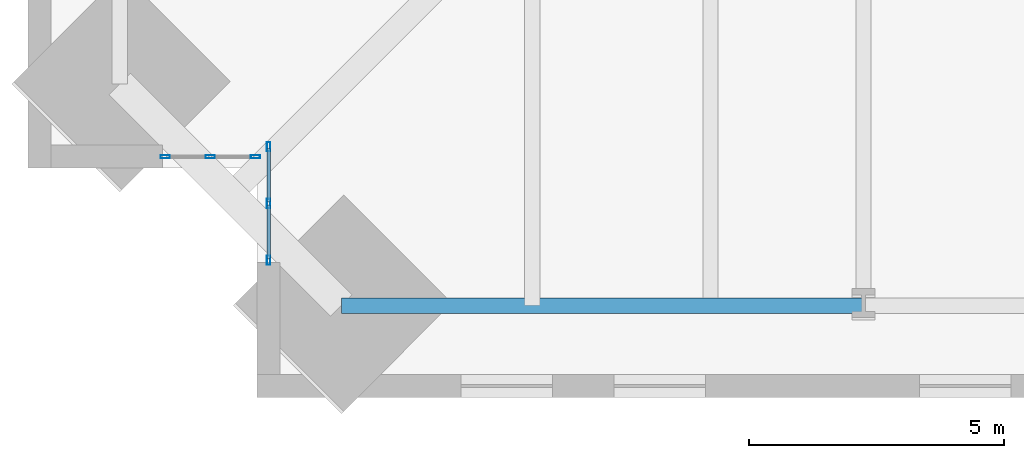
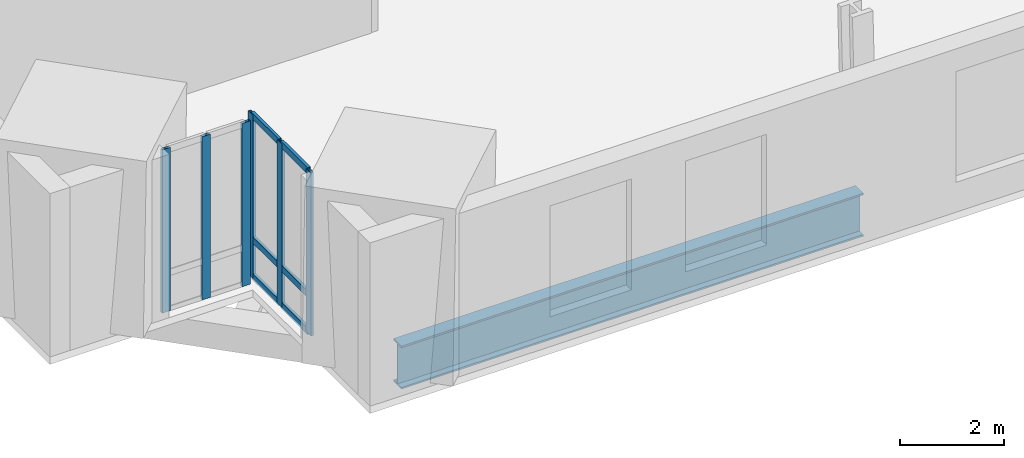
# One storey, part 2 of 15: 12 members, 1 beam, 2 elements without a shape of their own.
"""IFC4 building model written with IfcOpenShell, lengths in metres."""

from ifc_helpers import new_model, si_unit, direction, frame, origin, origin_2d, place, context, subcontext, project, spatial, hollow_rectangle, i_section, extrude, material, material_profile, profile_set, type_object, element, aggregate, save


model = new_model("IFC4")

# Units and contexts
model_context = context("Model", 3, precision=1e-05, world=origin(), true_north=direction((0.0, 1.0)))
body_context = subcontext(model_context, "Body", "Model", "MODEL_VIEW")
ifc_project = project(units=[si_unit("LENGTHUNIT", "METRE"), si_unit("AREAUNIT", "SQUARE_METRE"), si_unit("VOLUMEUNIT", "CUBIC_METRE"), si_unit("PLANEANGLEUNIT", "RADIAN"), si_unit("MASSUNIT", "GRAM", prefix="KILO")], contexts=[model_context])

# Site, building, storey
site_placement = place(None, origin())
site = spatial("IfcSite", under=ifc_project, at=site_placement, CompositionType="ELEMENT")
building_placement = place(site_placement, origin())
building = spatial("IfcBuilding", under=site, at=building_placement, Name="Peilmerk Tower", CompositionType="ELEMENT")
storey_placement = place(building_placement, frame((0.0, 0.0, 205.800048828125)))
storey = spatial("IfcBuildingStorey", under=building, at=storey_placement, Name="L44", CompositionType="ELEMENT", Elevation=205.800048828125)

# Beam
ifc_material_1 = material(Name="Steel S355", Category="steel")
ifc_material_profile_1 = material_profile(ifc_material_1, i_section(OverallWidth=0.302001953125, OverallDepth=1.008056640625, WebThickness=0.02099609375, FlangeThickness=0.0400390625, at=origin_2d()), Name="HEM 1000")
ifc_profile_set_1 = profile_set([ifc_material_profile_1], Name="Steel S355")
beam_type = type_object("IfcBeamType", Name="B1 HEM 1000 edge beam", PredefinedType="SPANDREL", material=ifc_profile_set_1)
beam_placement = place(storey_placement, frame((-18.248291015625, -22.598388671875, -0.674072265625), z_axis=(1.0, 0.0, 0.0), x_axis=(0.0, 1.0, 0.0)))
element("IfcBeam", 1, at=beam_placement, inside=storey, type_object=beam_type, Name="Edge beam L44", PredefinedType="SPANDREL", context=body_context, shape_type="SweptSolid", body=[
    extrude(i_section(OverallWidth=0.302001953125, OverallDepth=1.008056640625, WebThickness=0.02099609375, FlangeThickness=0.0400390625, at=origin_2d()), origin(), (0.0, 0.0, 1.0), 10.248291015625),
])

# Curtain wall, members
ifc_material_2 = material(Name="Aluminium stick curtain wall", Category="aluminium")
curtain_wall_type = type_object("IfcCurtainWallType", Name="CW4 stick curtain wall, 2250 module", PredefinedType="NOTDEFINED", material=ifc_material_2)
curtain_wall_1_placement = place(storey_placement, origin())
curtain_wall_1 = element("IfcCurtainWall", 2, at=curtain_wall_1_placement, inside=storey, type_object=curtain_wall_type, Name="Curtain wall CW4 SWA L44", PredefinedType="NOTDEFINED")
ifc_material_3 = material(Name="Aluminium EN AW-6063 T6", Category="aluminium")
ifc_material_profile_2 = material_profile(ifc_material_3, hollow_rectangle(XDim=0.06494140625, YDim=0.179931640625, WallThickness=0.0029296875, at=origin_2d()), Name="AL 180x65x3")
ifc_profile_set_2 = profile_set([ifc_material_profile_2], Name="Aluminium EN AW-6063 T6")
member_type_1 = type_object("IfcMemberType", Name="CW4-M AL 180x65x3 mullion", PredefinedType="MULLION", material=ifc_profile_set_2)
member_1_placement = place(storey_placement, frame((-19.675048828125, -19.482421875, 0.0), z_axis=(0.0, 0.0, 1.0), x_axis=(1.0, 0.0, 0.0)))
member_1 = element("IfcMember", 3, at=member_1_placement, type_object=member_type_1, Name="CW4 mullion 1", PredefinedType="MULLION", context=body_context, shape_type="SweptSolid", body=[
    extrude(hollow_rectangle(XDim=0.06494140625, YDim=0.179931640625, WallThickness=0.0029296875, at=origin_2d()), origin(), (0.0, 0.0, 1.0), 3.829833984375),
])
member_2_placement = place(storey_placement, frame((-19.675048828125, -20.59423828125, 0.0), z_axis=(0.0, 0.0, 1.0), x_axis=(1.0, 0.0, 0.0)))
member_2 = element("IfcMember", 4, at=member_2_placement, type_object=member_type_1, Name="CW4 mullion 2", PredefinedType="MULLION", context=body_context, shape_type="SweptSolid", body=[
    extrude(hollow_rectangle(XDim=0.06494140625, YDim=0.179931640625, WallThickness=0.0029296875, at=origin_2d()), origin(), (0.0, 0.0, 1.0), 3.829833984375),
])
member_3_placement = place(storey_placement, frame((-19.675048828125, -21.706298828125, 0.0), z_axis=(0.0, 0.0, 1.0), x_axis=(1.0, 0.0, 0.0)))
member_3 = element("IfcMember", 5, at=member_3_placement, type_object=member_type_1, Name="CW4 mullion 3", PredefinedType="MULLION", context=body_context, shape_type="SweptSolid", body=[
    extrude(hollow_rectangle(XDim=0.06494140625, YDim=0.179931640625, WallThickness=0.0029296875, at=origin_2d()), origin(), (0.0, 0.0, 1.0), 3.829833984375),
])

curtain_wall_2_placement = place(storey_placement, origin())
curtain_wall_2 = element("IfcCurtainWall", 6, at=curtain_wall_2_placement, inside=storey, type_object=curtain_wall_type, Name="Curtain wall CW4 SWB L44", PredefinedType="NOTDEFINED")
member_4_placement = place(storey_placement, frame((-19.9326171875, -19.675048828125, 0.0), z_axis=(0.0, 0.0, 1.0), x_axis=(0.0, -1.0, 0.0)))
member_4 = element("IfcMember", 7, at=member_4_placement, type_object=member_type_1, Name="CW4 mullion 1", PredefinedType="MULLION", context=body_context, shape_type="SweptSolid", body=[
    extrude(hollow_rectangle(XDim=0.06494140625, YDim=0.179931640625, WallThickness=0.0029296875, at=origin_2d()), origin(), (0.0, 0.0, 1.0), 3.829833984375),
])
member_5_placement = place(storey_placement, frame((-20.8193359375, -19.675048828125, 0.0), z_axis=(0.0, 0.0, 1.0), x_axis=(0.0, -1.0, 0.0)))
member_5 = element("IfcMember", 8, at=member_5_placement, type_object=member_type_1, Name="CW4 mullion 2", PredefinedType="MULLION", context=body_context, shape_type="SweptSolid", body=[
    extrude(hollow_rectangle(XDim=0.06494140625, YDim=0.179931640625, WallThickness=0.0029296875, at=origin_2d()), origin(), (0.0, 0.0, 1.0), 3.829833984375),
])
member_6_placement = place(storey_placement, frame((-21.706298828125, -19.675048828125, 0.0), z_axis=(0.0, 0.0, 1.0), x_axis=(0.0, -1.0, 0.0)))
member_6 = element("IfcMember", 9, at=member_6_placement, type_object=member_type_1, Name="CW4 mullion 3", PredefinedType="MULLION", context=body_context, shape_type="SweptSolid", body=[
    extrude(hollow_rectangle(XDim=0.06494140625, YDim=0.179931640625, WallThickness=0.0029296875, at=origin_2d()), origin(), (0.0, 0.0, 1.0), 3.829833984375),
])
aggregate(curtain_wall_2, [member_4, member_5, member_6])

# Member
ifc_material_profile_3 = material_profile(ifc_material_3, hollow_rectangle(XDim=0.06494140625, YDim=0.14990234375, WallThickness=0.0029296875, at=origin_2d()), Name="AL 150x65x3")
ifc_profile_set_3 = profile_set([ifc_material_profile_3], Name="Aluminium EN AW-6063 T6")
member_type_2 = type_object("IfcMemberType", Name="CW4-T AL 150x65x3 transom", PredefinedType="USERDEFINED", material=ifc_profile_set_3)
member_7_placement = place(storey_placement, frame((-19.675048828125, -19.514892578125, 0.032470703125), z_axis=(0.0, -1.0, 0.0), x_axis=(1.0, 0.0, 0.0)))
member_7 = element("IfcMember", 10, at=member_7_placement, type_object=member_type_2, Name="CW4 transom 1.1", ObjectType="TRANSOM", PredefinedType="USERDEFINED", context=body_context, shape_type="SweptSolid", body=[
    extrude(hollow_rectangle(XDim=0.06494140625, YDim=0.14990234375, WallThickness=0.0029296875, at=origin_2d()), origin(), (0.0, 0.0, 1.0), 1.046875),
])

member_8_placement = place(storey_placement, frame((-19.675048828125, -19.514892578125, 0.89990234375), z_axis=(0.0, -1.0, 0.0), x_axis=(1.0, 0.0, 0.0)))
member_8 = element("IfcMember", 11, at=member_8_placement, type_object=member_type_2, Name="CW4 transom 1.2", ObjectType="TRANSOM", PredefinedType="USERDEFINED", context=body_context, shape_type="SweptSolid", body=[
    extrude(hollow_rectangle(XDim=0.06494140625, YDim=0.14990234375, WallThickness=0.0029296875, at=origin_2d()), origin(), (0.0, 0.0, 1.0), 1.046875),
])

member_9_placement = place(storey_placement, frame((-19.675048828125, -19.514892578125, 3.79736328125), z_axis=(0.0, -1.0, 0.0), x_axis=(1.0, 0.0, 0.0)))
member_9 = element("IfcMember", 12, at=member_9_placement, type_object=member_type_2, Name="CW4 transom 1.3", ObjectType="TRANSOM", PredefinedType="USERDEFINED", context=body_context, shape_type="SweptSolid", body=[
    extrude(hollow_rectangle(XDim=0.06494140625, YDim=0.14990234375, WallThickness=0.0029296875, at=origin_2d()), origin(), (0.0, 0.0, 1.0), 1.046875),
])

member_10_placement = place(storey_placement, frame((-19.675048828125, -20.626953125, 0.032470703125), z_axis=(0.0, -1.0, 0.0), x_axis=(1.0, 0.0, 0.0)))
member_10 = element("IfcMember", 13, at=member_10_placement, type_object=member_type_2, Name="CW4 transom 2.1", ObjectType="TRANSOM", PredefinedType="USERDEFINED", context=body_context, shape_type="SweptSolid", body=[
    extrude(hollow_rectangle(XDim=0.06494140625, YDim=0.14990234375, WallThickness=0.0029296875, at=origin_2d()), origin(), (0.0, 0.0, 1.0), 1.046630859375),
])

member_11_placement = place(storey_placement, frame((-19.675048828125, -20.626953125, 0.89990234375), z_axis=(0.0, -1.0, 0.0), x_axis=(1.0, 0.0, 0.0)))
member_11 = element("IfcMember", 14, at=member_11_placement, type_object=member_type_2, Name="CW4 transom 2.2", ObjectType="TRANSOM", PredefinedType="USERDEFINED", context=body_context, shape_type="SweptSolid", body=[
    extrude(hollow_rectangle(XDim=0.06494140625, YDim=0.14990234375, WallThickness=0.0029296875, at=origin_2d()), origin(), (0.0, 0.0, 1.0), 1.046630859375),
])

member_12_placement = place(storey_placement, frame((-19.675048828125, -20.626953125, 3.79736328125), z_axis=(0.0, -1.0, 0.0), x_axis=(1.0, 0.0, 0.0)))
member_12 = element("IfcMember", 15, at=member_12_placement, type_object=member_type_2, Name="CW4 transom 2.3", ObjectType="TRANSOM", PredefinedType="USERDEFINED", context=body_context, shape_type="SweptSolid", body=[
    extrude(hollow_rectangle(XDim=0.06494140625, YDim=0.14990234375, WallThickness=0.0029296875, at=origin_2d()), origin(), (0.0, 0.0, 1.0), 1.046630859375),
])

aggregate(curtain_wall_1, [member_1, member_2, member_3, member_7, member_8, member_9, member_10, member_11, member_12])

save(model, "model.ifc")
